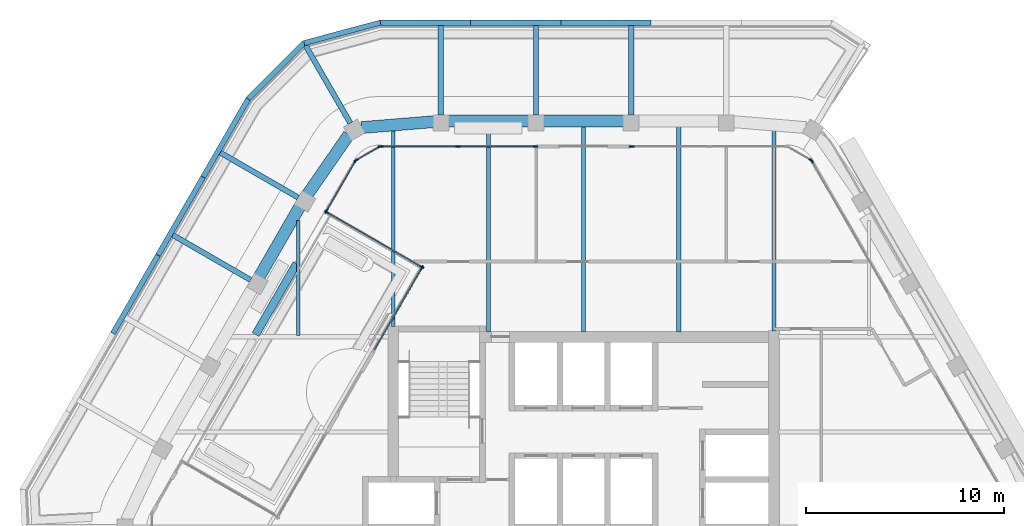
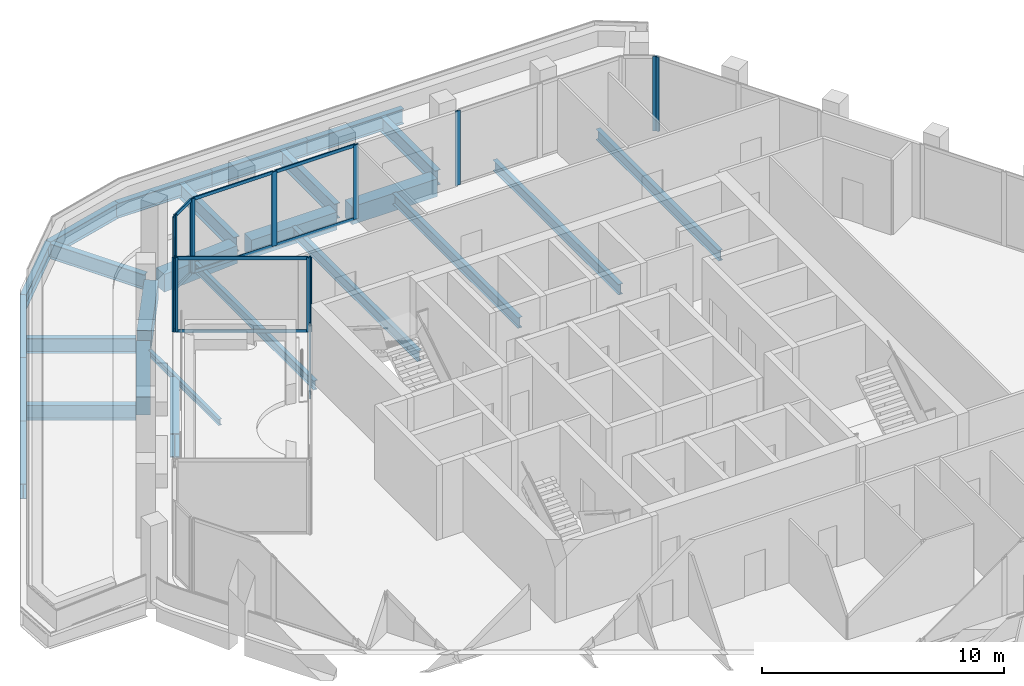
# One storey, part 5 of 16: 26 beams, 25 members, 8 elements without a shape of their own.
"""IFC4 building model written with IfcOpenShell, lengths in metres."""

from ifc_helpers import new_model, si_unit, direction, frame, origin, origin_2d, place, context, subcontext, project, spatial, rectangle, i_section, extrude, material, material_profile, profile_set, type_object, element, aggregate, save


model = new_model("IFC4")

# Units and contexts
model_context = context("Model", 3, precision=1e-05, world=origin(), true_north=direction((0.0, 1.0)))
body_context = subcontext(model_context, "Body", "Model", "MODEL_VIEW")
ifc_project = project(units=[si_unit("LENGTHUNIT", "METRE"), si_unit("AREAUNIT", "SQUARE_METRE"), si_unit("VOLUMEUNIT", "CUBIC_METRE"), si_unit("PLANEANGLEUNIT", "RADIAN"), si_unit("MASSUNIT", "GRAM", prefix="KILO")], contexts=[model_context])

# Site, building, storey
site_placement = place(None, origin())
site = spatial("IfcSite", under=ifc_project, at=site_placement, CompositionType="ELEMENT")
building_placement = place(site_placement, origin())
building = spatial("IfcBuilding", under=site, at=building_placement, Name="Kolab Exchange Tower", CompositionType="ELEMENT")
storey_placement = place(building_placement, frame((0.0, 0.0, 254.0)))
storey = spatial("IfcBuildingStorey", under=building, at=storey_placement, Name="L56", CompositionType="ELEMENT", Elevation=254.0)

# Beams
ifc_material_1 = material(Name="Steel S355", Category="steel")
ifc_material_profile_1 = material_profile(ifc_material_1, i_section(OverallWidth=0.39990234375, OverallDepth=1.199951171875, WebThickness=0.02490234375, FlangeThickness=0.0400390625, at=origin_2d()), Name="PG1200X400")
ifc_profile_set_1 = profile_set([ifc_material_profile_1], Name="Steel S355")
beam_type_1 = type_object("IfcBeamType", Name="FLOOR BEAM PG1200X400", PredefinedType="BEAM", material=ifc_profile_set_1)
beam_1_placement = place(storey_placement, frame((-16.54541015625, 9.714111328125, -0.75), z_axis=(0.500046874698, 0.865998338974, 0.0), x_axis=(-0.865998338974, 0.500046874698, 0.0)))
element("IfcBeam", 1, at=beam_1_placement, inside=storey, type_object=beam_type_1, Name="beam/L56/fr/005", PredefinedType="BEAM", context=body_context, shape_type="SweptSolid", body=[
    extrude(i_section(OverallWidth=0.39990234375, OverallDepth=1.199951171875, WebThickness=0.02490234375, FlangeThickness=0.0400390625, at=origin_2d()), origin(), (0.0, 0.0, 1.0), 4.12548828125),
])
ifc_material_profile_2 = material_profile(ifc_material_1, i_section(OverallWidth=0.1650390625, OverallDepth=0.31005859375, WebThickness=0.005859375, FlangeThickness=0.009765625, at=origin_2d()), Name="W310X39")
ifc_profile_set_2 = profile_set([ifc_material_profile_2], Name="Steel S355")
beam_type_2 = type_object("IfcBeamType", Name="FLOOR BEAM W310X39", PredefinedType="BEAM", material=ifc_profile_set_2)
beam_2_placement = place(storey_placement, frame((-14.39990234375, 9.674072265625, -0.304931640625), z_axis=(0.0, 1.0, 0.0), x_axis=(-1.0, 0.0, 0.0)))
element("IfcBeam", 2, at=beam_2_placement, inside=storey, type_object=beam_type_2, Name="beam/L56/fr/007", PredefinedType="BEAM", context=body_context, shape_type="SweptSolid", body=[
    extrude(i_section(OverallWidth=0.1650390625, OverallDepth=0.31005859375, WebThickness=0.005859375, FlangeThickness=0.009765625, at=origin_2d()), origin(), (0.0, 0.0, 1.0), 5.793701171875),
])
ifc_material_profile_3 = material_profile(ifc_material_1, i_section(OverallWidth=0.18994140625, OverallDepth=0.45703125, WebThickness=0.009033203125, FlangeThickness=0.014404296875, at=origin_2d()), Name="W460X74")
ifc_profile_set_3 = profile_set([ifc_material_profile_3], Name="Steel S355")
beam_type_3 = type_object("IfcBeamType", Name="FLOOR BEAM W460X74", PredefinedType="BEAM", material=ifc_profile_set_3)
beam_3_placement = place(storey_placement, frame((-9.60009765625, 10.110107421875, -0.37841796875), z_axis=(0.0, 1.0, 0.0), x_axis=(-1.0, 0.0, 0.0)))
element("IfcBeam", 3, at=beam_3_placement, inside=storey, type_object=beam_type_3, Name="beam/L56/fr/011", PredefinedType="BEAM", context=body_context, shape_type="SweptSolid", body=[
    extrude(i_section(OverallWidth=0.18994140625, OverallDepth=0.45703125, WebThickness=0.009033203125, FlangeThickness=0.014404296875, at=origin_2d()), origin(), (0.0, 0.0, 1.0), 9.9169921875),
])
ifc_material_profile_4 = material_profile(ifc_material_1, i_section(OverallWidth=0.208984375, OverallDepth=0.532958984375, WebThickness=0.01025390625, FlangeThickness=0.015625, at=origin_2d()), Name="W530X92")
ifc_profile_set_4 = profile_set([ifc_material_profile_4], Name="Steel S355")
beam_type_4 = type_object("IfcBeamType", Name="FLOOR BEAM W530X92", PredefinedType="BEAM", material=ifc_profile_set_4)
for number, where, z_axis, x_axis, name in (
    (4, (-4.800048828125, 9.8349609375, -0.41650390625), (0.0, 1.0, 0.0), (-1.0, 0.0, 0.0), "beam/L56/fr/013"),
    (5, (0.0, 9.8349609375, -0.41650390625), (0.0, 1.0, 0.0), (-1.0, 0.0, 0.0), "beam/L56/fr/015"),
    (6, (4.800048828125, 9.8349609375, -0.41650390625), (0.0, 1.0, 0.0), (-1.0, 0.0, 0.0), "beam/L56/fr/017"),
):
    element("IfcBeam", number, at=place(storey_placement, frame(where, z_axis=z_axis, x_axis=x_axis)), inside=storey, type_object=beam_type_4, Name=name, PredefinedType="BEAM", context=body_context, shape_type="SweptSolid", body=[
        extrude(i_section(OverallWidth=0.208984375, OverallDepth=0.532958984375, WebThickness=0.01025390625, FlangeThickness=0.015625, at=origin_2d()), origin(), (0.0, 0.0, 1.0), 10.3896484375),
    ])
beam_4_placement = place(storey_placement, frame((9.60009765625, 9.885009765625, -0.41650390625), z_axis=(0.0, 1.0, 0.0), x_axis=(-1.0, 0.0, 0.0)))
element("IfcBeam", 7, at=beam_4_placement, inside=storey, type_object=beam_type_4, Name="beam/L56/fr/019", PredefinedType="BEAM", context=body_context, shape_type="SweptSolid", body=[
    extrude(i_section(OverallWidth=0.208984375, OverallDepth=0.532958984375, WebThickness=0.01025390625, FlangeThickness=0.015625, at=origin_2d()), origin(), (0.0, 0.0, 1.0), 10.14208984375),
])
ifc_material_profile_5 = material_profile(ifc_material_1, i_section(OverallWidth=0.26708984375, OverallDepth=0.761962890625, WebThickness=0.014404296875, FlangeThickness=0.021484375, at=origin_2d()), Name="W760X173")
ifc_profile_set_5 = profile_set([ifc_material_profile_5], Name="Steel S355")
beam_type_5 = type_object("IfcBeamType", Name="FLOOR GIRDER W760X173", PredefinedType="BEAM", material=ifc_profile_set_5)
beam_5_placement = place(storey_placement, frame((-16.800048828125, 12.470703125, -0.591064453125), z_axis=(-0.866007095043, 0.500031710329, 0.0), x_axis=(-0.500031710329, -0.866007095043, 0.0)))
element("IfcBeam", 8, at=beam_5_placement, inside=storey, type_object=beam_type_5, Name="beam/L56/ledge/rib-03", PredefinedType="BEAM", context=body_context, shape_type="SweptSolid", body=[
    extrude(i_section(OverallWidth=0.26708984375, OverallDepth=0.761962890625, WebThickness=0.014404296875, FlangeThickness=0.021484375, at=origin_2d()), origin(), (0.0, 0.0, 1.0), 4.532958984375),
])
beam_6_placement = place(storey_placement, frame((-14.39990234375, 16.627685546875, -0.591064453125), z_axis=(-0.866020560687, 0.500008388397, 0.0), x_axis=(-0.500008388397, -0.866020560687, 0.0)))
element("IfcBeam", 9, at=beam_6_placement, inside=storey, type_object=beam_type_5, Name="beam/L56/ledge/rib-04", PredefinedType="BEAM", context=body_context, shape_type="SweptSolid", body=[
    extrude(i_section(OverallWidth=0.26708984375, OverallDepth=0.761962890625, WebThickness=0.014404296875, FlangeThickness=0.021484375, at=origin_2d()), origin(), (0.0, 0.0, 1.0), 4.533203125),
])
for number, where, z_axis, x_axis, name in (
    (10, (-11.767822265625, 20.3828125, -0.591064453125), (-0.500031710329, 0.866007095043, 0.0), (-0.866007095043, -0.500031710329, 0.0), "beam/L56/ledge/rib-05"),
    (11, (-7.199951171875, 20.78466796875, -0.591064453125), (0.0, 1.0, 0.0), (-1.0, 0.0, 0.0), "beam/L56/ledge/rib-06"),
    (12, (-2.39990234375, 20.78466796875, -0.591064453125), (0.0, 1.0, 0.0), (-1.0, 0.0, 0.0), "beam/L56/ledge/rib-07"),
    (13, (2.39990234375, 20.78466796875, -0.591064453125), (0.0, 1.0, 0.0), (-1.0, 0.0, 0.0), "beam/L56/ledge/rib-08"),
):
    element("IfcBeam", number, at=place(storey_placement, frame(where, z_axis=z_axis, x_axis=x_axis)), inside=storey, type_object=beam_type_5, Name=name, PredefinedType="BEAM", context=body_context, shape_type="SweptSolid", body=[
        extrude(i_section(OverallWidth=0.26708984375, OverallDepth=0.761962890625, WebThickness=0.014404296875, FlangeThickness=0.021484375, at=origin_2d()), origin(), (0.0, 0.0, 1.0), 4.532958984375),
    ])
beam_7_placement = place(storey_placement, frame((-23.74462890625, 9.775146484375, -0.591064453125), z_axis=(0.499997902498, 0.866026614774, 0.0), x_axis=(-0.866026614774, 0.499997902498, 0.0)))
element("IfcBeam", 14, at=beam_7_placement, inside=storey, type_object=beam_type_5, Name="beam/L56/ledge/edge-03", PredefinedType="BEAM", context=body_context, shape_type="SweptSolid", body=[
    extrude(i_section(OverallWidth=0.26708984375, OverallDepth=0.761962890625, WebThickness=0.014404296875, FlangeThickness=0.021484375, at=origin_2d()), origin(), (0.0, 0.0, 1.0), 4.55224609375),
])
for number, where, z_axis, x_axis, name in (
    (15, (-21.468505859375, 13.717529296875, -0.591064453125), (0.499974680739, 0.866040021373, 0.0), (-0.866040021373, 0.499974680739, 0.0), "beam/L56/ledge/edge-04"),
    (16, (-19.1923828125, 17.66015625, -0.591064453125), (0.500038123928, 0.866003391805, 0.0), (-0.866003391805, 0.500038123928, 0.0), "beam/L56/ledge/edge-05"),
):
    element("IfcBeam", number, at=place(storey_placement, frame(where, z_axis=z_axis, x_axis=x_axis)), inside=storey, type_object=beam_type_5, Name=name, PredefinedType="BEAM", context=body_context, shape_type="SweptSolid", body=[
        extrude(i_section(OverallWidth=0.26708984375, OverallDepth=0.761962890625, WebThickness=0.014404296875, FlangeThickness=0.021484375, at=origin_2d()), origin(), (0.0, 0.0, 1.0), 4.552490234375),
    ])
beam_8_placement = place(storey_placement, frame((-16.916015625, 21.6025390625, -0.591064453125), z_axis=(0.707076141986, 0.707137419059, 0.0), x_axis=(-0.707137419059, 0.707076141986, 0.0)))
element("IfcBeam", 17, at=beam_8_placement, inside=storey, type_object=beam_type_5, Name="beam/L56/ledge/edge-06", PredefinedType="BEAM", context=body_context, shape_type="SweptSolid", body=[
    extrude(i_section(OverallWidth=0.26708984375, OverallDepth=0.761962890625, WebThickness=0.014404296875, FlangeThickness=0.021484375, at=origin_2d()), origin(), (0.0, 0.0, 1.0), 3.984130859375),
])
beam_9_placement = place(storey_placement, frame((-14.098876953125, 24.419921875, -0.591064453125), z_axis=(0.965925076742, 0.258821842436, 0.0), x_axis=(-0.258821842436, 0.965925076742, 0.0)))
element("IfcBeam", 18, at=beam_9_placement, inside=storey, type_object=beam_type_5, Name="beam/L56/ledge/edge-07", PredefinedType="BEAM", context=body_context, shape_type="SweptSolid", body=[
    extrude(i_section(OverallWidth=0.26708984375, OverallDepth=0.761962890625, WebThickness=0.014404296875, FlangeThickness=0.021484375, at=origin_2d()), origin(), (0.0, 0.0, 1.0), 3.984375),
])
beam_10_placement = place(storey_placement, frame((-10.250244140625, 25.451171875, -0.591064453125), z_axis=(1.0, 0.0, 0.0), x_axis=(0.0, 1.0, 0.0)))
element("IfcBeam", 19, at=beam_10_placement, inside=storey, type_object=beam_type_5, Name="beam/L56/ledge/edge-08", PredefinedType="BEAM", context=body_context, shape_type="SweptSolid", body=[
    extrude(i_section(OverallWidth=0.26708984375, OverallDepth=0.761962890625, WebThickness=0.014404296875, FlangeThickness=0.021484375, at=origin_2d()), origin(), (0.0, 0.0, 1.0), 4.55224609375),
])
for number, where, z_axis, x_axis, name in (
    (20, (-5.697998046875, 25.451171875, -0.591064453125), (1.0, 0.0, 0.0), (0.0, 1.0, 0.0), "beam/L56/ledge/edge-09"),
    (21, (-1.1455078125, 25.451171875, -0.591064453125), (1.0, 0.0, 0.0), (0.0, 1.0, 0.0), "beam/L56/ledge/edge-10"),
):
    element("IfcBeam", number, at=place(storey_placement, frame(where, z_axis=z_axis, x_axis=x_axis)), inside=storey, type_object=beam_type_5, Name=name, PredefinedType="BEAM", context=body_context, shape_type="SweptSolid", body=[
        extrude(i_section(OverallWidth=0.26708984375, OverallDepth=0.761962890625, WebThickness=0.014404296875, FlangeThickness=0.021484375, at=origin_2d()), origin(), (0.0, 0.0, 1.0), 4.552490234375),
    ])
ifc_material_2 = material(Name="Concrete C50/60", Category="concrete")
ifc_material_profile_6 = material_profile(ifc_material_2, rectangle(XDim=0.60009765625, YDim=0.89990234375, at=origin_2d()), Name="RC600X900")
ifc_profile_set_6 = profile_set([ifc_material_profile_6], Name="Concrete C50/60")
beam_type_6 = type_object("IfcBeamType", Name="SPANDREL BEAM 600X900 C50/60", PredefinedType="BEAM", material=ifc_profile_set_6)
beam_11_placement = place(storey_placement, frame((-11.216796875, 20.15576171875, -0.60009765625), z_axis=(0.996666751878, 0.081580547323, 0.0), x_axis=(-0.081580547323, 0.996666751878, 0.0)))
element("IfcBeam", 22, at=beam_11_placement, inside=storey, type_object=beam_type_6, Name="beam/L56/sp/F1-01", PredefinedType="BEAM", context=body_context, shape_type="SweptSolid", body=[
    extrude(rectangle(XDim=0.60009765625, YDim=0.89990234375, at=origin_2d()), origin(), (0.0, 0.0, 1.0), 3.6689453125),
])
for number, where, z_axis, x_axis, name in (
    (23, (-6.840087890625, 20.484619140625, -0.60009765625), (1.0, 0.0, 0.0), (0.0, 1.0, 0.0), "beam/L56/sp/F1-02"),
    (24, (-2.0400390625, 20.484619140625, -0.60009765625), (1.0, 0.0, 0.0), (0.0, 1.0, 0.0), "beam/L56/sp/F1-03"),
):
    element("IfcBeam", number, at=place(storey_placement, frame(where, z_axis=z_axis, x_axis=x_axis)), inside=storey, type_object=beam_type_6, Name=name, PredefinedType="BEAM", context=body_context, shape_type="SweptSolid", body=[
        extrude(rectangle(XDim=0.60009765625, YDim=0.89990234375, at=origin_2d()), origin(), (0.0, 0.0, 1.0), 4.080078125),
    ])
beam_12_placement = place(storey_placement, frame((-16.360107421875, 12.632568359375, -0.60009765625), z_axis=(0.499955548806, 0.866051066172, 0.0), x_axis=(-0.866051066172, 0.499955548806, 0.0)))
element("IfcBeam", 25, at=beam_12_placement, inside=storey, type_object=beam_type_6, Name="beam/L56/sp/F6-04", PredefinedType="BEAM", context=body_context, shape_type="SweptSolid", body=[
    extrude(rectangle(XDim=0.60009765625, YDim=0.89990234375, at=origin_2d()), origin(), (0.0, 0.0, 1.0), 4.079833984375),
])
beam_13_placement = place(storey_placement, frame((-13.9345703125, 16.77490234375, -0.60009765625), z_axis=(0.569005808573, 0.822333502789, 0.0), x_axis=(-0.822333502789, 0.569005808573, 0.0)))
element("IfcBeam", 26, at=beam_13_placement, inside=storey, type_object=beam_type_6, Name="beam/L56/sp/F6-05", PredefinedType="BEAM", context=body_context, shape_type="SweptSolid", body=[
    extrude(rectangle(XDim=0.60009765625, YDim=0.89990234375, at=origin_2d()), origin(), (0.0, 0.0, 1.0), 3.6689453125),
])

# Curtain wall, members
ifc_material_3 = material(Name="Aluminium EN AW-6063 T6", Category="aluminium")
curtain_wall_type = type_object("IfcCurtainWallType", Name="UNITISED HIGH ZONE CURTAIN WALL", PredefinedType="NOTDEFINED", material=ifc_material_3)
curtain_wall_1_placement = place(storey_placement, origin())
curtain_wall_1 = element("IfcCurtainWall", 27, at=curtain_wall_1_placement, inside=storey, type_object=curtain_wall_type, Name="cw/L56/F1-1", PredefinedType="NOTDEFINED")
ifc_material_profile_7 = material_profile(ifc_material_3, rectangle(XDim=0.06005859375, YDim=0.239990234375, at=origin_2d()), Name="RECT 60X240")
ifc_profile_set_7 = profile_set([ifc_material_profile_7], Name="Aluminium EN AW-6063 T6")
member_type_1 = type_object("IfcMemberType", Name="UNITISED HIGH ZONE MULLION 60 X 240", PredefinedType="MULLION", material=ifc_profile_set_7)
member_1_placement = place(storey_placement, frame((-10.238037109375, 19.20458984375, 0.0), z_axis=(0.0, 0.0, 1.0), x_axis=(0.0, 1.0, 0.0)))
member_1 = element("IfcMember", 28, at=member_1_placement, type_object=member_type_1, Name="CW4 mullion 1", PredefinedType="MULLION", context=body_context, shape_type="SweptSolid", body=[
    extrude(rectangle(XDim=0.06005859375, YDim=0.239990234375, at=origin_2d()), origin(), (0.0, 0.0, 1.0), 3.75),
])
member_2_placement = place(storey_placement, frame((-6.333984375, 19.20458984375, 0.0), z_axis=(0.0, 0.0, 1.0), x_axis=(0.0, 1.0, 0.0)))
member_2 = element("IfcMember", 29, at=member_2_placement, type_object=member_type_1, Name="CW4 mullion 2", PredefinedType="MULLION", context=body_context, shape_type="SweptSolid", body=[
    extrude(rectangle(XDim=0.06005859375, YDim=0.239990234375, at=origin_2d()), origin(), (0.0, 0.0, 1.0), 3.75),
])
member_3_placement = place(storey_placement, frame((-2.429931640625, 19.20458984375, 0.0), z_axis=(0.0, 0.0, 1.0), x_axis=(0.0, 1.0, 0.0)))
member_3 = element("IfcMember", 30, at=member_3_placement, type_object=member_type_1, Name="CW4 mullion 3", PredefinedType="MULLION", context=body_context, shape_type="SweptSolid", body=[
    extrude(rectangle(XDim=0.06005859375, YDim=0.239990234375, at=origin_2d()), origin(), (0.0, 0.0, 1.0), 3.75),
])

# Curtain wall, member
curtain_wall_2_placement = place(storey_placement, origin())
curtain_wall_2 = element("IfcCurtainWall", 31, at=curtain_wall_2_placement, inside=storey, type_object=curtain_wall_type, Name="cw/L56/F1-2", PredefinedType="NOTDEFINED")
member_4_placement = place(storey_placement, frame((2.429931640625, 19.20458984375, 0.0), z_axis=(0.0, 0.0, 1.0), x_axis=(0.0, 1.0, 0.0)))
member_4 = element("IfcMember", 32, at=member_4_placement, type_object=member_type_1, Name="CW4 mullion 1", PredefinedType="MULLION", context=body_context, shape_type="SweptSolid", body=[
    extrude(rectangle(XDim=0.06005859375, YDim=0.239990234375, at=origin_2d()), origin(), (0.0, 0.0, 1.0), 3.75),
])
aggregate(curtain_wall_2, [member_4])

curtain_wall_3_placement = place(storey_placement, origin())
curtain_wall_3 = element("IfcCurtainWall", 33, at=curtain_wall_3_placement, inside=storey, type_object=curtain_wall_type, Name="cw/L56/F2-1", PredefinedType="NOTDEFINED")
member_5_placement = place(storey_placement, frame((11.5126953125, 18.46875, 0.0), z_axis=(0.0, 0.0, 1.0), x_axis=(0.866025385493, 0.500000031681, 0.0)))
member_5 = element("IfcMember", 34, at=member_5_placement, type_object=member_type_1, Name="CW4 mullion 1", PredefinedType="MULLION", context=body_context, shape_type="SweptSolid", body=[
    extrude(rectangle(XDim=0.06005859375, YDim=0.239990234375, at=origin_2d()), origin(), (0.0, 0.0, 1.0), 3.75),
])
aggregate(curtain_wall_3, [member_5])

curtain_wall_4_placement = place(storey_placement, origin())
curtain_wall_4 = element("IfcCurtainWall", 35, at=curtain_wall_4_placement, inside=storey, type_object=curtain_wall_type, Name="cw/L56/F6-back-2", PredefinedType="NOTDEFINED")
member_6_placement = place(storey_placement, frame((-8.156982421875, 13.0810546875, 0.0), z_axis=(0.0, 0.0, 1.0), x_axis=(-0.866025376121, 0.500000047915, 0.0)))
member_6 = element("IfcMember", 36, at=member_6_placement, type_object=member_type_1, Name="CW4 mullion 2", PredefinedType="MULLION", context=body_context, shape_type="SweptSolid", body=[
    extrude(rectangle(XDim=0.06005859375, YDim=0.239990234375, at=origin_2d()), origin(), (0.0, 0.0, 1.0), 3.75),
])

# Curtain wall, members
curtain_wall_5_placement = place(storey_placement, origin())
curtain_wall_5 = element("IfcCurtainWall", 37, at=curtain_wall_5_placement, inside=storey, type_object=curtain_wall_type, Name="cw/L56/F6-rr-1", PredefinedType="NOTDEFINED")
member_7_placement = place(storey_placement, frame((-8.16796875, 13.1220703125, 0.0), z_axis=(0.0, 0.0, 1.0), x_axis=(-0.500000020194, -0.866025392126, 0.0)))
member_7 = element("IfcMember", 38, at=member_7_placement, type_object=member_type_1, Name="CW4 mullion 1", PredefinedType="MULLION", context=body_context, shape_type="SweptSolid", body=[
    extrude(rectangle(XDim=0.06005859375, YDim=0.239990234375, at=origin_2d()), origin(), (0.0, 0.0, 1.0), 3.75),
])
member_8_placement = place(storey_placement, frame((-12.9658203125, 15.89208984375, 0.0), z_axis=(0.0, 0.0, 1.0), x_axis=(-0.500000020194, -0.866025392126, 0.0)))
member_8 = element("IfcMember", 39, at=member_8_placement, type_object=member_type_1, Name="CW4 mullion 2", PredefinedType="MULLION", context=body_context, shape_type="SweptSolid", body=[
    extrude(rectangle(XDim=0.06005859375, YDim=0.239990234375, at=origin_2d()), origin(), (0.0, 0.0, 1.0), 3.75),
])

curtain_wall_6_placement = place(storey_placement, origin())
curtain_wall_6 = element("IfcCurtainWall", 40, at=curtain_wall_6_placement, inside=storey, type_object=curtain_wall_type, Name="cw/L56/F6-r-1", PredefinedType="NOTDEFINED")
member_9_placement = place(storey_placement, frame((-12.9765625, 15.932861328125, 0.0), z_axis=(0.0, 0.0, 1.0), x_axis=(-0.866025353144, 0.500000087712, 0.0)))
member_9 = element("IfcMember", 41, at=member_9_placement, type_object=member_type_1, Name="CW4 mullion 1", PredefinedType="MULLION", context=body_context, shape_type="SweptSolid", body=[
    extrude(rectangle(XDim=0.06005859375, YDim=0.239990234375, at=origin_2d()), origin(), (0.0, 0.0, 1.0), 3.75),
])
member_10_placement = place(storey_placement, frame((-11.5126953125, 18.46875, 0.0), z_axis=(0.0, 0.0, 1.0), x_axis=(-0.866025353144, 0.500000087712, 0.0)))
member_10 = element("IfcMember", 42, at=member_10_placement, type_object=member_type_1, Name="CW4 mullion 2", PredefinedType="MULLION", context=body_context, shape_type="SweptSolid", body=[
    extrude(rectangle(XDim=0.06005859375, YDim=0.239990234375, at=origin_2d()), origin(), (0.0, 0.0, 1.0), 3.75),
])

# Curtain wall, member
curtain_wall_7_placement = place(storey_placement, origin())
curtain_wall_7 = element("IfcCurtainWall", 43, at=curtain_wall_7_placement, inside=storey, type_object=curtain_wall_type, Name="cw/L56/F1F2-corner", PredefinedType="NOTDEFINED")
member_11_placement = place(storey_placement, frame((11.4716796875, 18.509521484375, 0.0), z_axis=(0.0, 0.0, 1.0), x_axis=(0.50000002237, 0.866025390869, 0.0)))
member_11 = element("IfcMember", 44, at=member_11_placement, type_object=member_type_1, Name="CW4 mullion 2", PredefinedType="MULLION", context=body_context, shape_type="SweptSolid", body=[
    extrude(rectangle(XDim=0.06005859375, YDim=0.239990234375, at=origin_2d()), origin(), (0.0, 0.0, 1.0), 3.75),
])
aggregate(curtain_wall_7, [member_11])

# Curtain wall, members
curtain_wall_8_placement = place(storey_placement, origin())
curtain_wall_8 = element("IfcCurtainWall", 45, at=curtain_wall_8_placement, inside=storey, type_object=curtain_wall_type, Name="cw/L56/F6F1-corner", PredefinedType="NOTDEFINED")
member_12_placement = place(storey_placement, frame((-11.4716796875, 18.509521484375, 0.0), z_axis=(0.0, 0.0, 1.0), x_axis=(-0.50000002237, 0.866025390869, 0.0)))
member_12 = element("IfcMember", 46, at=member_12_placement, type_object=member_type_1, Name="CW4 mullion 1", PredefinedType="MULLION", context=body_context, shape_type="SweptSolid", body=[
    extrude(rectangle(XDim=0.06005859375, YDim=0.239990234375, at=origin_2d()), origin(), (0.0, 0.0, 1.0), 3.75),
])
member_13_placement = place(storey_placement, frame((-10.2939453125, 19.189697265625, 0.0), z_axis=(0.0, 0.0, 1.0), x_axis=(-0.50000002237, 0.866025390869, 0.0)))
member_13 = element("IfcMember", 47, at=member_13_placement, type_object=member_type_1, Name="CW4 mullion 2", PredefinedType="MULLION", context=body_context, shape_type="SweptSolid", body=[
    extrude(rectangle(XDim=0.06005859375, YDim=0.239990234375, at=origin_2d()), origin(), (0.0, 0.0, 1.0), 3.75),
])

# Member
ifc_material_profile_8 = material_profile(ifc_material_3, rectangle(XDim=0.06005859375, YDim=0.159912109375, at=origin_2d()), Name="RECT 60X160")
ifc_profile_set_8 = profile_set([ifc_material_profile_8], Name="Aluminium EN AW-6063 T6")
member_type_2 = type_object("IfcMemberType", Name="UNITISED HIGH ZONE TRANSOM 60 X 160", PredefinedType="USERDEFINED", material=ifc_profile_set_8)
member_14_placement = place(storey_placement, frame((-10.2080078125, 19.20458984375, 0.030029296875), z_axis=(1.0, 0.0, 0.0), x_axis=(0.0, 1.0, 0.0)))
member_14 = element("IfcMember", 48, at=member_14_placement, type_object=member_type_2, Name="CW4 transom 1.1", ObjectType="TRANSOM", PredefinedType="USERDEFINED", context=body_context, shape_type="SweptSolid", body=[
    extrude(rectangle(XDim=0.06005859375, YDim=0.159912109375, at=origin_2d()), origin(), (0.0, 0.0, 1.0), 3.843994140625),
])

member_15_placement = place(storey_placement, frame((-10.2080078125, 19.20458984375, 3.719970703125), z_axis=(1.0, 0.0, 0.0), x_axis=(0.0, 1.0, 0.0)))
member_15 = element("IfcMember", 49, at=member_15_placement, type_object=member_type_2, Name="CW4 transom 1.2", ObjectType="TRANSOM", PredefinedType="USERDEFINED", context=body_context, shape_type="SweptSolid", body=[
    extrude(rectangle(XDim=0.06005859375, YDim=0.159912109375, at=origin_2d()), origin(), (0.0, 0.0, 1.0), 3.843994140625),
])

member_16_placement = place(storey_placement, frame((-6.303955078125, 19.20458984375, 0.030029296875), z_axis=(1.0, 0.0, 0.0), x_axis=(0.0, 1.0, 0.0)))
member_16 = element("IfcMember", 50, at=member_16_placement, type_object=member_type_2, Name="CW4 transom 2.1", ObjectType="TRANSOM", PredefinedType="USERDEFINED", context=body_context, shape_type="SweptSolid", body=[
    extrude(rectangle(XDim=0.06005859375, YDim=0.159912109375, at=origin_2d()), origin(), (0.0, 0.0, 1.0), 3.843994140625),
])

member_17_placement = place(storey_placement, frame((-6.303955078125, 19.20458984375, 3.719970703125), z_axis=(1.0, 0.0, 0.0), x_axis=(0.0, 1.0, 0.0)))
member_17 = element("IfcMember", 51, at=member_17_placement, type_object=member_type_2, Name="CW4 transom 2.2", ObjectType="TRANSOM", PredefinedType="USERDEFINED", context=body_context, shape_type="SweptSolid", body=[
    extrude(rectangle(XDim=0.06005859375, YDim=0.159912109375, at=origin_2d()), origin(), (0.0, 0.0, 1.0), 3.843994140625),
])

aggregate(curtain_wall_1, [member_1, member_2, member_3, member_14, member_15, member_16, member_17])

member_18_placement = place(storey_placement, frame((-10.53857421875, 8.955810546875, 0.030029296875), z_axis=(0.500011179042, 0.866018949465, 0.0), x_axis=(-0.866018949465, 0.500011179042, 0.0)))
member_18 = element("IfcMember", 52, at=member_18_placement, type_object=member_type_2, Name="CW4 transom 1.1", ObjectType="TRANSOM", PredefinedType="USERDEFINED", context=body_context, shape_type="SweptSolid", body=[
    extrude(rectangle(XDim=0.06005859375, YDim=0.159912109375, at=origin_2d()), origin(), (0.0, 0.0, 1.0), 4.7333984375),
])

member_19_placement = place(storey_placement, frame((-10.53857421875, 8.955810546875, 3.719970703125), z_axis=(0.500011179042, 0.866018949465, 0.0), x_axis=(-0.866018949465, 0.500011179042, 0.0)))
member_19 = element("IfcMember", 53, at=member_19_placement, type_object=member_type_2, Name="CW4 transom 1.2", ObjectType="TRANSOM", PredefinedType="USERDEFINED", context=body_context, shape_type="SweptSolid", body=[
    extrude(rectangle(XDim=0.06005859375, YDim=0.159912109375, at=origin_2d()), origin(), (0.0, 0.0, 1.0), 4.7333984375),
])

aggregate(curtain_wall_4, [member_6, member_18, member_19])

member_20_placement = place(storey_placement, frame((-8.19384765625, 13.136962890625, 0.030029296875), z_axis=(-0.866027562125, 0.499996261625, 0.0), x_axis=(-0.499996261625, -0.866027562125, 0.0)))
member_20 = element("IfcMember", 54, at=member_20_placement, type_object=member_type_2, Name="CW4 transom 1.1", ObjectType="TRANSOM", PredefinedType="USERDEFINED", context=body_context, shape_type="SweptSolid", body=[
    extrude(rectangle(XDim=0.06005859375, YDim=0.159912109375, at=origin_2d()), origin(), (0.0, 0.0, 1.0), 5.47998046875),
])

member_21_placement = place(storey_placement, frame((-8.19384765625, 13.136962890625, 3.719970703125), z_axis=(-0.866027562125, 0.499996261625, 0.0), x_axis=(-0.499996261625, -0.866027562125, 0.0)))
member_21 = element("IfcMember", 55, at=member_21_placement, type_object=member_type_2, Name="CW4 transom 1.2", ObjectType="TRANSOM", PredefinedType="USERDEFINED", context=body_context, shape_type="SweptSolid", body=[
    extrude(rectangle(XDim=0.06005859375, YDim=0.159912109375, at=origin_2d()), origin(), (0.0, 0.0, 1.0), 5.47998046875),
])

aggregate(curtain_wall_5, [member_7, member_8, member_20, member_21])

member_22_placement = place(storey_placement, frame((-12.961669921875, 15.958984375, 0.030029296875), z_axis=(0.500039310002, 0.866002706955, 0.0), x_axis=(-0.866002706955, 0.500039310002, 0.0)))
member_22 = element("IfcMember", 56, at=member_22_placement, type_object=member_type_2, Name="CW4 transom 1.1", ObjectType="TRANSOM", PredefinedType="USERDEFINED", context=body_context, shape_type="SweptSolid", body=[
    extrude(rectangle(XDim=0.06005859375, YDim=0.159912109375, at=origin_2d()), origin(), (0.0, 0.0, 1.0), 2.867919921875),
])

member_23_placement = place(storey_placement, frame((-12.961669921875, 15.958984375, 3.719970703125), z_axis=(0.500039310002, 0.866002706955, 0.0), x_axis=(-0.866002706955, 0.500039310002, 0.0)))
member_23 = element("IfcMember", 57, at=member_23_placement, type_object=member_type_2, Name="CW4 transom 1.2", ObjectType="TRANSOM", PredefinedType="USERDEFINED", context=body_context, shape_type="SweptSolid", body=[
    extrude(rectangle(XDim=0.06005859375, YDim=0.159912109375, at=origin_2d()), origin(), (0.0, 0.0, 1.0), 2.867919921875),
])

aggregate(curtain_wall_6, [member_9, member_10, member_22, member_23])

member_24_placement = place(storey_placement, frame((-11.44580078125, 18.524658203125, 0.030029296875), z_axis=(0.866085525409, 0.49989585183, 0.0), x_axis=(-0.49989585183, 0.866085525409, 0.0)))
member_24 = element("IfcMember", 58, at=member_24_placement, type_object=member_type_2, Name="CW4 transom 1.1", ObjectType="TRANSOM", PredefinedType="USERDEFINED", context=body_context, shape_type="SweptSolid", body=[
    extrude(rectangle(XDim=0.06005859375, YDim=0.159912109375, at=origin_2d()), origin(), (0.0, 0.0, 1.0), 1.300048828125),
])

member_25_placement = place(storey_placement, frame((-11.44580078125, 18.524658203125, 3.719970703125), z_axis=(0.866085525409, 0.49989585183, 0.0), x_axis=(-0.49989585183, 0.866085525409, 0.0)))
member_25 = element("IfcMember", 59, at=member_25_placement, type_object=member_type_2, Name="CW4 transom 1.2", ObjectType="TRANSOM", PredefinedType="USERDEFINED", context=body_context, shape_type="SweptSolid", body=[
    extrude(rectangle(XDim=0.06005859375, YDim=0.159912109375, at=origin_2d()), origin(), (0.0, 0.0, 1.0), 1.300048828125),
])

aggregate(curtain_wall_8, [member_12, member_13, member_24, member_25])

save(model, "model.ifc")
